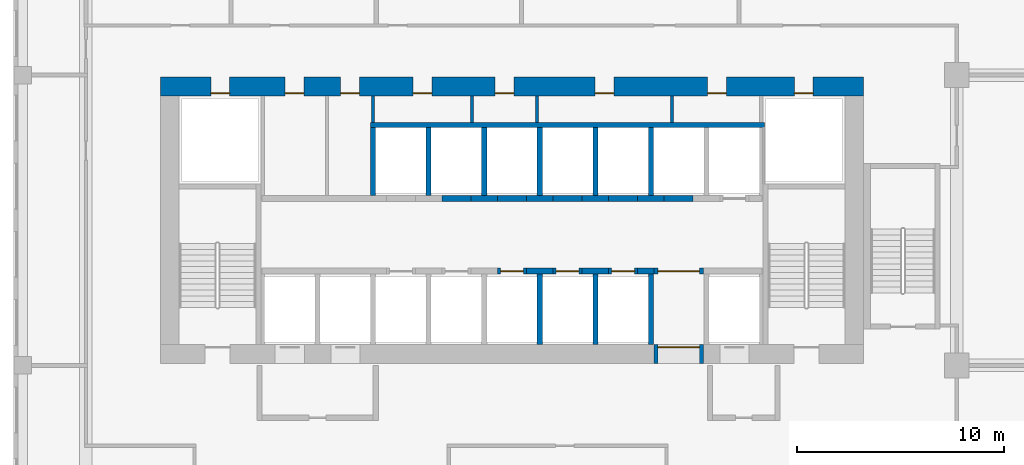
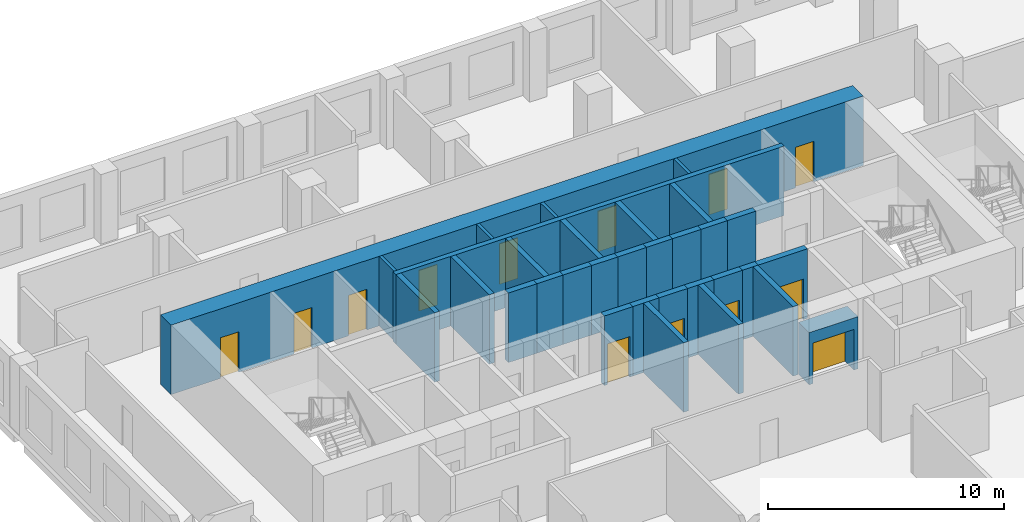
# One storey, part 13 of 19: 32 walls, 13 doors, 13 openings.
"""IFC4 building model written with IfcOpenShell, lengths in metres."""

from ifc_helpers import new_model, si_unit, direction, frame, frame_2d, origin, place, context, subcontext, project, spatial, rectangle, extrude, source, transform, mapped, material, layer, layer_set, type_object, element, fill, save


model = new_model("IFC4")

# Units and contexts
model_context = context("Model", 3, precision=1e-05, world=origin(), true_north=direction((0.0, 1.0)))
body_context = subcontext(model_context, "Body", "Model", "MODEL_VIEW")
ifc_project = project(units=[si_unit("LENGTHUNIT", "METRE"), si_unit("AREAUNIT", "SQUARE_METRE"), si_unit("VOLUMEUNIT", "CUBIC_METRE"), si_unit("PLANEANGLEUNIT", "RADIAN"), si_unit("MASSUNIT", "GRAM", prefix="KILO")], contexts=[model_context])

# Site, building, storey
site_placement = place(None, origin())
site = spatial("IfcSite", under=ifc_project, at=site_placement, CompositionType="ELEMENT")
building_placement = place(site_placement, origin())
building = spatial("IfcBuilding", under=site, at=building_placement, Name="Kilnfold Tower and Market Hall", CompositionType="ELEMENT")
storey_placement = place(building_placement, frame((0.0, 0.0, 124.60009765625)))
storey = spatial("IfcBuildingStorey", under=building, at=storey_placement, Name="L29", CompositionType="ELEMENT", Elevation=124.60009765625)

# Wall, openings, doors
ifc_material_1 = material(Name="Concrete C70", Category="concrete")
ifc_layer_1 = layer(ifc_material_1, 0.89990234375)
ifc_layer_set_1 = layer_set([ifc_layer_1], Name="Concrete C70")
wall_type_1 = type_object("IfcWallType", Name="CORE WALL 900 C70", PredefinedType="SHEAR", material=ifc_layer_set_1)
shared_shape_1 = source(origin(), body_context, "Body", "SweptSolid", [
    extrude(rectangle(XDim=33.89990234375, YDim=0.89990234375, at=frame_2d((16.949951171875, 0.0))), origin(), (0.0, 0.0, 1.0), 3.599853515625),
])
wall_1_placement = place(storey_placement, frame((-15.89990234375, 21.449951171875, 0.0), z_axis=(0.0, 0.0, 1.0), x_axis=(1.0, 0.0, 0.0)))
wall_1 = element("IfcWall", 1, at=wall_1_placement, inside=storey, type_object=wall_type_1, Name="Core outer wall north", PredefinedType="SHEAR", context=body_context, shape_type="MappedRepresentation", body=[
    mapped(shared_shape_1, transform((0.0, 0.0, 0.0))),
])
opening_1_placement = place(wall_1_placement, frame((6.0078125, 0.0, 0.0)))
opening_1 = element("IfcOpeningElement", 2, at=opening_1_placement, cuts=wall_1, Name="Opening KD1", PredefinedType="OPENING", context=body_context, shape_type="SweptSolid", body=[
    extrude(rectangle(XDim=0.89990234375, YDim=2.10009765625, at=frame_2d((0.449951171875, 1.050048828125))), frame((0.0, 0.4599609375, 0.0), z_axis=(0.0, -1.0, 0.0), x_axis=(1.0, 0.0, 0.0)), (0.0, 0.0, 1.0), 0.919921875),
])
opening_2_placement = place(wall_1_placement, frame((8.687744140625, 0.0, 0.0)))
opening_2 = element("IfcOpeningElement", 3, at=opening_2_placement, cuts=wall_1, Name="Opening KD1", PredefinedType="OPENING", context=body_context, shape_type="SweptSolid", body=[
    extrude(rectangle(XDim=0.89990234375, YDim=2.10009765625, at=frame_2d((0.449951171875, 1.050048828125))), frame((0.0, 0.4599609375, 0.0), z_axis=(0.0, -1.0, 0.0), x_axis=(1.0, 0.0, 0.0)), (0.0, 0.0, 1.0), 0.919921875),
])
opening_3_placement = place(wall_1_placement, frame((12.185302734375, 0.0, 0.0)))
opening_3 = element("IfcOpeningElement", 4, at=opening_3_placement, cuts=wall_1, Name="Opening KD1", PredefinedType="OPENING", context=body_context, shape_type="SweptSolid", body=[
    extrude(rectangle(XDim=0.89990234375, YDim=2.10009765625, at=frame_2d((0.449951171875, 1.050048828125))), frame((0.0, 0.4599609375, 0.0), z_axis=(0.0, -1.0, 0.0), x_axis=(1.0, 0.0, 0.0)), (0.0, 0.0, 1.0), 0.919921875),
])
opening_4_placement = place(wall_1_placement, frame((16.13818359375, 0.0, 0.0)))
opening_4 = element("IfcOpeningElement", 5, at=opening_4_placement, cuts=wall_1, Name="Opening KD1", PredefinedType="OPENING", context=body_context, shape_type="SweptSolid", body=[
    extrude(rectangle(XDim=0.89990234375, YDim=2.10009765625, at=frame_2d((0.449951171875, 1.050048828125))), frame((0.0, 0.4599609375, 0.0), z_axis=(0.0, -1.0, 0.0), x_axis=(1.0, 0.0, 0.0)), (0.0, 0.0, 1.0), 0.919921875),
])
opening_5_placement = place(wall_1_placement, frame((20.962158203125, 0.0, 0.0)))
opening_5 = element("IfcOpeningElement", 6, at=opening_5_placement, cuts=wall_1, Name="Opening KD1", PredefinedType="OPENING", context=body_context, shape_type="SweptSolid", body=[
    extrude(rectangle(XDim=0.89990234375, YDim=2.10009765625, at=frame_2d((0.449951171875, 1.050048828125))), frame((0.0, 0.4599609375, 0.0), z_axis=(0.0, -1.0, 0.0), x_axis=(1.0, 0.0, 0.0)), (0.0, 0.0, 1.0), 0.919921875),
])
opening_6_placement = place(wall_1_placement, frame((26.38916015625, 0.0, 0.0)))
opening_6 = element("IfcOpeningElement", 7, at=opening_6_placement, cuts=wall_1, Name="Opening KD1", PredefinedType="OPENING", context=body_context, shape_type="SweptSolid", body=[
    extrude(rectangle(XDim=0.89990234375, YDim=2.10009765625, at=frame_2d((0.449951171875, 1.050048828125))), frame((0.0, 0.4599609375, 0.0), z_axis=(0.0, -1.0, 0.0), x_axis=(1.0, 0.0, 0.0)), (0.0, 0.0, 1.0), 0.919921875),
])
opening_7_placement = place(wall_1_placement, frame((2.425048828125, 0.0, 0.0)))
opening_7 = element("IfcOpeningElement", 8, at=opening_7_placement, cuts=wall_1, Name="Opening KD1", PredefinedType="OPENING", context=body_context, shape_type="SweptSolid", body=[
    extrude(rectangle(XDim=0.89990234375, YDim=2.10009765625, at=frame_2d((0.449951171875, 1.050048828125))), frame((0.0, 0.4599609375, 0.0), z_axis=(0.0, -1.0, 0.0), x_axis=(1.0, 0.0, 0.0)), (0.0, 0.0, 1.0), 0.919921875),
])
opening_8_placement = place(wall_1_placement, frame((30.574951171875, 0.0, 0.0)))
opening_8 = element("IfcOpeningElement", 9, at=opening_8_placement, cuts=wall_1, Name="Opening KD1", PredefinedType="OPENING", context=body_context, shape_type="SweptSolid", body=[
    extrude(rectangle(XDim=0.89990234375, YDim=2.10009765625, at=frame_2d((0.449951171875, 1.050048828125))), frame((0.0, 0.4599609375, 0.0), z_axis=(0.0, -1.0, 0.0), x_axis=(1.0, 0.0, 0.0)), (0.0, 0.0, 1.0), 0.919921875),
])
ifc_material_2 = material(Name="Steel door set with fire-resisting leaf", Category="steel")
door_type_1 = type_object("IfcDoorType", Name="SERVICE DOOR 900X2100", OperationType="NOTDEFINED", PredefinedType="DOOR", material=ifc_material_2)
door_1_placement = place(opening_1_placement, origin())
door_1 = element("IfcDoor", 10, at=door_1_placement, inside=storey, type_object=door_type_1, Name="Core service door", OperationType="SINGLE_SWING_RIGHT", OverallHeight=2.10009765625, OverallWidth=0.89990234375, PredefinedType="DOOR", context=body_context, shape_type="SweptSolid", body=[
    extrude(rectangle(XDim=0.89990234375, YDim=2.10009765625, at=frame_2d((0.449951171875, 1.050048828125))), frame((0.0, -0.30517578125, 0.0), z_axis=(0.0, -1.0, 0.0), x_axis=(1.0, 0.0, 0.0)), (0.0, 0.0, 1.0), 0.050048828125),
])
fill(opening_1, door_1)
door_2_placement = place(opening_2_placement, origin())
door_2 = element("IfcDoor", 11, at=door_2_placement, inside=storey, type_object=door_type_1, Name="Core service door", OperationType="SINGLE_SWING_LEFT", OverallHeight=2.10009765625, OverallWidth=0.89990234375, PredefinedType="DOOR", context=body_context, shape_type="SweptSolid", body=[
    extrude(rectangle(XDim=0.89990234375, YDim=2.10009765625, at=frame_2d((0.449951171875, 1.050048828125))), frame((0.0, -0.30517578125, 0.0), z_axis=(0.0, -1.0, 0.0), x_axis=(1.0, 0.0, 0.0)), (0.0, 0.0, 1.0), 0.050048828125),
])
fill(opening_2, door_2)
door_3_placement = place(opening_3_placement, origin())
door_3 = element("IfcDoor", 12, at=door_3_placement, inside=storey, type_object=door_type_1, Name="Core service door", OperationType="SINGLE_SWING_RIGHT", OverallHeight=2.10009765625, OverallWidth=0.89990234375, PredefinedType="DOOR", context=body_context, shape_type="SweptSolid", body=[
    extrude(rectangle(XDim=0.89990234375, YDim=2.10009765625, at=frame_2d((0.449951171875, 1.050048828125))), frame((0.0, -0.30517578125, 0.0), z_axis=(0.0, -1.0, 0.0), x_axis=(1.0, 0.0, 0.0)), (0.0, 0.0, 1.0), 0.050048828125),
])
fill(opening_3, door_3)
door_4_placement = place(opening_4_placement, origin())
door_4 = element("IfcDoor", 13, at=door_4_placement, inside=storey, type_object=door_type_1, Name="Core service door", OperationType="SINGLE_SWING_LEFT", OverallHeight=2.10009765625, OverallWidth=0.89990234375, PredefinedType="DOOR", context=body_context, shape_type="SweptSolid", body=[
    extrude(rectangle(XDim=0.89990234375, YDim=2.10009765625, at=frame_2d((0.449951171875, 1.050048828125))), frame((0.0, -0.30517578125, 0.0), z_axis=(0.0, -1.0, 0.0), x_axis=(1.0, 0.0, 0.0)), (0.0, 0.0, 1.0), 0.050048828125),
])
fill(opening_4, door_4)
door_5_placement = place(opening_5_placement, origin())
door_5 = element("IfcDoor", 14, at=door_5_placement, inside=storey, type_object=door_type_1, Name="Core service door", OperationType="SINGLE_SWING_RIGHT", OverallHeight=2.10009765625, OverallWidth=0.89990234375, PredefinedType="DOOR", context=body_context, shape_type="SweptSolid", body=[
    extrude(rectangle(XDim=0.89990234375, YDim=2.10009765625, at=frame_2d((0.449951171875, 1.050048828125))), frame((0.0, -0.30517578125, 0.0), z_axis=(0.0, -1.0, 0.0), x_axis=(1.0, 0.0, 0.0)), (0.0, 0.0, 1.0), 0.050048828125),
])
fill(opening_5, door_5)
door_6_placement = place(opening_6_placement, origin())
door_6 = element("IfcDoor", 15, at=door_6_placement, inside=storey, type_object=door_type_1, Name="Core service door", OperationType="SINGLE_SWING_LEFT", OverallHeight=2.10009765625, OverallWidth=0.89990234375, PredefinedType="DOOR", context=body_context, shape_type="SweptSolid", body=[
    extrude(rectangle(XDim=0.89990234375, YDim=2.10009765625, at=frame_2d((0.449951171875, 1.050048828125))), frame((0.0, -0.30517578125, 0.0), z_axis=(0.0, -1.0, 0.0), x_axis=(1.0, 0.0, 0.0)), (0.0, 0.0, 1.0), 0.050048828125),
])
fill(opening_6, door_6)
door_7_placement = place(opening_7_placement, origin())
door_7 = element("IfcDoor", 16, at=door_7_placement, inside=storey, type_object=door_type_1, Name="Electrical riser access door", OperationType="SINGLE_SWING_RIGHT", OverallHeight=2.10009765625, OverallWidth=0.89990234375, PredefinedType="DOOR", context=body_context, shape_type="SweptSolid", body=[
    extrude(rectangle(XDim=0.89990234375, YDim=2.10009765625, at=frame_2d((0.449951171875, 1.050048828125))), frame((0.0, -0.30517578125, 0.0), z_axis=(0.0, -1.0, 0.0), x_axis=(1.0, 0.0, 0.0)), (0.0, 0.0, 1.0), 0.050048828125),
])
fill(opening_7, door_7)
door_8_placement = place(opening_8_placement, origin())
door_8 = element("IfcDoor", 17, at=door_8_placement, inside=storey, type_object=door_type_1, Name="Mechanical riser access door", OperationType="SINGLE_SWING_LEFT", OverallHeight=2.10009765625, OverallWidth=0.89990234375, PredefinedType="DOOR", context=body_context, shape_type="SweptSolid", body=[
    extrude(rectangle(XDim=0.89990234375, YDim=2.10009765625, at=frame_2d((0.449951171875, 1.050048828125))), frame((0.0, -0.30517578125, 0.0), z_axis=(0.0, -1.0, 0.0), x_axis=(1.0, 0.0, 0.0)), (0.0, 0.0, 1.0), 0.050048828125),
])
fill(opening_8, door_8)

# Walls
ifc_material_3 = material(Name="Concrete C70", Category="concrete")
ifc_layer_2 = layer(ifc_material_3, 0.300048828125)
ifc_layer_set_2 = layer_set([ifc_layer_2], Name="Concrete C70")
wall_type_2 = type_object("IfcWallType", Name="CORE WALL 300 C70", PredefinedType="SHEAR", material=ifc_layer_set_2)
shared_shape_2 = source(origin(), body_context, "Body", "SweptSolid", [
    extrude(rectangle(XDim=1.280029296875, YDim=0.300048828125, at=frame_2d((0.64013671875, 0.0))), origin(), (0.0, 0.0, 1.0), 3.599853515625),
])
for number, where, z_axis, x_axis, name in (
    (18, (1.75, 12.550048828125, 0.0), (0.0, 0.0, 1.0), (1.0, 0.0, 0.0), "Core spine wall"),
    (19, (4.429931640625, 12.550048828125, 0.0), (0.0, 0.0, 1.0), (1.0, 0.0, 0.0), "Core spine wall"),
    (20, (-0.929931640625, 16.050048828125, 0.0), (0.0, 0.0, 1.0), (1.0, 0.0, 0.0), "Core spine wall"),
    (21, (1.75, 16.050048828125, 0.0), (0.0, 0.0, 1.0), (1.0, 0.0, 0.0), "Core spine wall"),
    (22, (4.429931640625, 16.050048828125, 0.0), (0.0, 0.0, 1.0), (1.0, 0.0, 0.0), "Core spine wall"),
):
    element("IfcWall", number, at=place(storey_placement, frame(where, z_axis=z_axis, x_axis=x_axis)), inside=storey, type_object=wall_type_2, Name=name, PredefinedType="SHEAR", context=body_context, shape_type="MappedRepresentation", body=[
        mapped(shared_shape_2, transform((0.0, 0.0, 0.0))),
    ])
shared_shape_3 = source(origin(), body_context, "Body", "SweptSolid", [
    extrude(rectangle(XDim=0.77978515625, YDim=0.300048828125, at=frame_2d((0.389892578125, 0.0))), origin(), (0.0, 0.0, 1.0), 3.599853515625),
])
wall_2_placement = place(storey_placement, frame((7.110107421875, 12.550048828125, 0.0), z_axis=(0.0, 0.0, 1.0), x_axis=(1.0, 0.0, 0.0)))
element("IfcWall", 23, at=wall_2_placement, inside=storey, type_object=wall_type_2, Name="Core spine wall", PredefinedType="SHEAR", context=body_context, shape_type="MappedRepresentation", body=[
    mapped(shared_shape_3, transform((0.0, 0.0, 0.0))),
])
shared_shape_4 = source(origin(), body_context, "Body", "SweptSolid", [
    extrude(rectangle(XDim=1.27978515625, YDim=0.300048828125, at=frame_2d((0.639892578125, 0.0))), origin(), (0.0, 0.0, 1.0), 3.599853515625),
])
wall_3_placement = place(storey_placement, frame((7.110107421875, 16.050048828125, 0.0), z_axis=(0.0, 0.0, 1.0), x_axis=(1.0, 0.0, 0.0)))
element("IfcWall", 24, at=wall_3_placement, inside=storey, type_object=wall_type_2, Name="Core spine wall", PredefinedType="SHEAR", context=body_context, shape_type="MappedRepresentation", body=[
    mapped(shared_shape_4, transform((0.0, 0.0, 0.0))),
])

# Wall, opening, door
ifc_material_4 = material(Name="Gypsum shaft wall system")
ifc_layer_3 = layer(ifc_material_4, 0.89990234375)
ifc_layer_set_3 = layer_set([ifc_layer_3], Name="Gypsum shaft wall system")
wall_type_3 = type_object("IfcWallType", Name="LOBBY WALL 900", PredefinedType="PARTITIONING", material=ifc_layer_set_3)
shared_shape_5 = source(origin(), body_context, "Body", "SweptSolid", [
    extrude(rectangle(XDim=2.400146484375, YDim=0.89990234375, at=frame_2d((1.2001953125, 0.0))), origin(), (0.0, 0.0, 1.0), 2.699951171875),
])
wall_4_placement = place(storey_placement, frame((7.889892578125, 8.550048828125, 0.0), z_axis=(0.0, 0.0, 1.0), x_axis=(1.0, 0.0, 0.0)))
wall_4 = element("IfcWall", 25, at=wall_4_placement, inside=storey, type_object=wall_type_3, Name="Core wall infill", PredefinedType="PARTITIONING", context=body_context, shape_type="MappedRepresentation", body=[
    mapped(shared_shape_5, transform((0.0, 0.0, 0.0))),
])
opening_9_placement = place(wall_4_placement, frame((0.199951171875, 0.0, 0.0)))
opening_9 = element("IfcOpeningElement", 26, at=opening_9_placement, cuts=wall_4, Name="Opening VD2", PredefinedType="OPENING", context=body_context, shape_type="SweptSolid", body=[
    extrude(rectangle(XDim=2.0, YDim=2.10009765625, at=frame_2d((1.0, 1.050048828125))), frame((0.0, 0.4599609375, 0.0), z_axis=(0.0, -1.0, 0.0), x_axis=(1.0, 0.0, 0.0)), (0.0, 0.0, 1.0), 0.919921875),
])
ifc_material_5 = material(Name="Steel door set with fire-resisting leaf", Category="steel")
door_type_2 = type_object("IfcDoorType", Name="LIFT LOBBY ENTRANCE DOOR 2000X2100", OperationType="NOTDEFINED", PredefinedType="DOOR", material=ifc_material_5)
door_9_placement = place(opening_9_placement, origin())
door_9 = element("IfcDoor", 27, at=door_9_placement, inside=storey, type_object=door_type_2, Name="Lift lobby entrance door", OperationType="DOUBLE_DOOR_SINGLE_SWING", OverallHeight=2.10009765625, OverallWidth=2.0, PredefinedType="DOOR", context=body_context, shape_type="SweptSolid", body=[
    extrude(rectangle(XDim=2.0, YDim=2.10009765625, at=frame_2d((1.0, 1.050048828125))), frame((0.0, 0.35498046875, 0.0), z_axis=(0.0, -1.0, 0.0), x_axis=(1.0, 0.0, 0.0)), (0.0, 0.0, 1.0), 0.050048828125),
])
fill(opening_9, door_9)

ifc_material_6 = material(Name="Gypsum shaft wall system")
ifc_layer_4 = layer(ifc_material_6, 0.300048828125)
ifc_layer_set_4 = layer_set([ifc_layer_4], Name="Gypsum shaft wall system")
wall_type_4 = type_object("IfcWallType", Name="SHAFT WALL 300", PredefinedType="PARTITIONING", material=ifc_layer_set_4)
shared_shape_6 = source(origin(), body_context, "Body", "SweptSolid", [
    extrude(rectangle(XDim=1.39990234375, YDim=0.300048828125, at=frame_2d((0.699951171875, 0.0))), origin(), (0.0, 0.0, 1.0), 3.599853515625),
])
wall_5_placement = place(storey_placement, frame((0.35009765625, 12.550048828125, 0.0), z_axis=(0.0, 0.0, 1.0), x_axis=(1.0, 0.0, 0.0)))
wall_5 = element("IfcWall", 28, at=wall_5_placement, inside=storey, type_object=wall_type_4, Name="Lift shaft front wall", PredefinedType="PARTITIONING", context=body_context, shape_type="MappedRepresentation", body=[
    mapped(shared_shape_6, transform((0.0, 0.0, 0.0))),
])
opening_10_placement = place(wall_5_placement, frame((0.14990234375, 0.0, 0.0)))
opening_10 = element("IfcOpeningElement", 29, at=opening_10_placement, cuts=wall_5, Name="Opening LD2", PredefinedType="OPENING", context=body_context, shape_type="SweptSolid", body=[
    extrude(rectangle(XDim=1.10009765625, YDim=2.10009765625, at=frame_2d((0.550048828125, 1.050048828125))), frame((0.0, 0.16015625, 0.0), z_axis=(0.0, -1.0, 0.0), x_axis=(1.0, 0.0, 0.0)), (0.0, 0.0, 1.0), 0.320068359375),
])
ifc_material_7 = material(Name="Steel door set with fire-resisting leaf", Category="steel")
door_type_3 = type_object("IfcDoorType", Name="LANDING DOOR 1100X2100", OperationType="NOTDEFINED", PredefinedType="DOOR", material=ifc_material_7)
door_10_placement = place(opening_10_placement, origin())
door_10 = element("IfcDoor", 30, at=door_10_placement, inside=storey, type_object=door_type_3, Name="Landing door LR3", OperationType="DOUBLE_DOOR_SLIDING", OverallHeight=2.10009765625, OverallWidth=1.10009765625, PredefinedType="DOOR", context=body_context, shape_type="SweptSolid", body=[
    extrude(rectangle(XDim=1.10009765625, YDim=2.10009765625, at=frame_2d((0.550048828125, 1.050048828125))), frame((0.0, 0.02490234375, 0.0), z_axis=(0.0, -1.0, 0.0), x_axis=(1.0, 0.0, 0.0)), (0.0, 0.0, 1.0), 0.050048828125),
])
fill(opening_10, door_10)

wall_6_placement = place(storey_placement, frame((3.030029296875, 12.550048828125, 0.0), z_axis=(0.0, 0.0, 1.0), x_axis=(1.0, 0.0, 0.0)))
wall_6 = element("IfcWall", 31, at=wall_6_placement, inside=storey, type_object=wall_type_4, Name="Lift shaft front wall", PredefinedType="PARTITIONING", context=body_context, shape_type="MappedRepresentation", body=[
    mapped(shared_shape_6, transform((0.0, 0.0, 0.0))),
])
opening_11_placement = place(wall_6_placement, frame((0.14990234375, 0.0, 0.0)))
opening_11 = element("IfcOpeningElement", 32, at=opening_11_placement, cuts=wall_6, Name="Opening LD2", PredefinedType="OPENING", context=body_context, shape_type="SweptSolid", body=[
    extrude(rectangle(XDim=1.10009765625, YDim=2.10009765625, at=frame_2d((0.550048828125, 1.050048828125))), frame((0.0, 0.16015625, 0.0), z_axis=(0.0, -1.0, 0.0), x_axis=(1.0, 0.0, 0.0)), (0.0, 0.0, 1.0), 0.320068359375),
])
door_11_placement = place(opening_11_placement, origin())
door_11 = element("IfcDoor", 33, at=door_11_placement, inside=storey, type_object=door_type_3, Name="Landing door LR4", OperationType="DOUBLE_DOOR_SLIDING", OverallHeight=2.10009765625, OverallWidth=1.10009765625, PredefinedType="DOOR", context=body_context, shape_type="SweptSolid", body=[
    extrude(rectangle(XDim=1.10009765625, YDim=2.10009765625, at=frame_2d((0.550048828125, 1.050048828125))), frame((0.0, 0.02490234375, 0.0), z_axis=(0.0, -1.0, 0.0), x_axis=(1.0, 0.0, 0.0)), (0.0, 0.0, 1.0), 0.050048828125),
])
fill(opening_11, door_11)

# Walls
for number, where, z_axis, x_axis, name in (
    (34, (0.35009765625, 16.050048828125, 0.0), (0.0, 0.0, 1.0), (1.0, 0.0, 0.0), "Lift shaft front wall"),
    (35, (3.030029296875, 16.050048828125, 0.0), (0.0, 0.0, 1.0), (1.0, 0.0, 0.0), "Lift shaft front wall"),
):
    element("IfcWall", number, at=place(storey_placement, frame(where, z_axis=z_axis, x_axis=x_axis)), inside=storey, type_object=wall_type_4, Name=name, PredefinedType="PARTITIONING", context=body_context, shape_type="MappedRepresentation", body=[
        mapped(shared_shape_6, transform((0.0, 0.0, 0.0))),
    ])

# Wall, opening, door
shared_shape_7 = source(origin(), body_context, "Body", "SweptSolid", [
    extrude(rectangle(XDim=1.400146484375, YDim=0.300048828125, at=frame_2d((0.7001953125, 0.0))), origin(), (0.0, 0.0, 1.0), 3.599853515625),
])
wall_7_placement = place(storey_placement, frame((5.7099609375, 12.550048828125, 0.0), z_axis=(0.0, 0.0, 1.0), x_axis=(1.0, 0.0, 0.0)))
wall_7 = element("IfcWall", 36, at=wall_7_placement, inside=storey, type_object=wall_type_4, Name="Lift shaft front wall", PredefinedType="PARTITIONING", context=body_context, shape_type="MappedRepresentation", body=[
    mapped(shared_shape_7, transform((0.0, 0.0, 0.0))),
])
opening_12_placement = place(wall_7_placement, frame((0.14990234375, 0.0, 0.0)))
opening_12 = element("IfcOpeningElement", 37, at=opening_12_placement, cuts=wall_7, Name="Opening LD2", PredefinedType="OPENING", context=body_context, shape_type="SweptSolid", body=[
    extrude(rectangle(XDim=1.10009765625, YDim=2.10009765625, at=frame_2d((0.550048828125, 1.050048828125))), frame((0.0, 0.16015625, 0.0), z_axis=(0.0, -1.0, 0.0), x_axis=(1.0, 0.0, 0.0)), (0.0, 0.0, 1.0), 0.320068359375),
])
door_12_placement = place(opening_12_placement, origin())
door_12 = element("IfcDoor", 38, at=door_12_placement, inside=storey, type_object=door_type_3, Name="Landing door LR5", OperationType="DOUBLE_DOOR_SLIDING", OverallHeight=2.10009765625, OverallWidth=1.10009765625, PredefinedType="DOOR", context=body_context, shape_type="SweptSolid", body=[
    extrude(rectangle(XDim=1.10009765625, YDim=2.10009765625, at=frame_2d((0.550048828125, 1.050048828125))), frame((0.0, 0.02490234375, 0.0), z_axis=(0.0, -1.0, 0.0), x_axis=(1.0, 0.0, 0.0)), (0.0, 0.0, 1.0), 0.050048828125),
])
fill(opening_12, door_12)

# Walls
for number, where, z_axis, x_axis, name in (
    (39, (-2.330078125, 16.050048828125, 0.0), (0.0, 0.0, 1.0), (1.0, 0.0, 0.0), "Lift shaft front wall"),
    (40, (5.7099609375, 16.050048828125, 0.0), (0.0, 0.0, 1.0), (1.0, 0.0, 0.0), "Lift shaft front wall"),
    (41, (8.389892578125, 16.050048828125, 0.0), (0.0, 0.0, 1.0), (1.0, 0.0, 0.0), "Lift shaft front wall"),
):
    element("IfcWall", number, at=place(storey_placement, frame(where, z_axis=z_axis, x_axis=x_axis)), inside=storey, type_object=wall_type_4, Name=name, PredefinedType="PARTITIONING", context=body_context, shape_type="MappedRepresentation", body=[
        mapped(shared_shape_7, transform((0.0, 0.0, 0.0))),
    ])

# Wall, opening, door
shared_shape_8 = source(origin(), body_context, "Body", "SweptSolid", [
    extrude(rectangle(XDim=2.400146484375, YDim=0.300048828125, at=frame_2d((1.2001953125, 0.0))), origin(), (0.0, 0.0, 1.0), 3.599853515625),
])
wall_8_placement = place(storey_placement, frame((7.889892578125, 12.550048828125, 0.0), z_axis=(0.0, 0.0, 1.0), x_axis=(1.0, 0.0, 0.0)))
wall_8 = element("IfcWall", 42, at=wall_8_placement, inside=storey, type_object=wall_type_4, Name="Lift shaft front wall", PredefinedType="PARTITIONING", context=body_context, shape_type="MappedRepresentation", body=[
    mapped(shared_shape_8, transform((0.0, 0.0, 0.0))),
])
opening_13_placement = place(wall_8_placement, frame((0.199951171875, 0.0, 0.0)))
opening_13 = element("IfcOpeningElement", 43, at=opening_13_placement, cuts=wall_8, Name="Opening VD2", PredefinedType="OPENING", context=body_context, shape_type="SweptSolid", body=[
    extrude(rectangle(XDim=2.0, YDim=2.10009765625, at=frame_2d((1.0, 1.050048828125))), frame((0.0, 0.16015625, 0.0), z_axis=(0.0, -1.0, 0.0), x_axis=(1.0, 0.0, 0.0)), (0.0, 0.0, 1.0), 0.320068359375),
])
door_13_placement = place(opening_13_placement, origin())
door_13 = element("IfcDoor", 44, at=door_13_placement, inside=storey, type_object=door_type_2, Name="Lift lobby entrance door", OperationType="DOUBLE_DOOR_SINGLE_SWING", OverallHeight=2.10009765625, OverallWidth=2.0, PredefinedType="DOOR", context=body_context, shape_type="SweptSolid", body=[
    extrude(rectangle(XDim=2.0, YDim=2.10009765625, at=frame_2d((1.0, 1.050048828125))), frame((0.0, 0.02490234375, 0.0), z_axis=(0.0, -1.0, 0.0), x_axis=(1.0, 0.0, 0.0)), (0.0, 0.0, 1.0), 0.050048828125),
])
fill(opening_13, door_13)

# Walls
ifc_material_8 = material(Name="Gypsum shaft wall system")
ifc_layer_5 = layer(ifc_material_8, 0.25)
ifc_layer_set_5 = layer_set([ifc_layer_5], Name="Gypsum shaft wall system")
wall_type_5 = type_object("IfcWallType", Name="SHAFT WALL 250", PredefinedType="PARTITIONING", material=ifc_layer_set_5)
shared_shape_9 = source(origin(), body_context, "Body", "SweptSolid", [
    extrude(rectangle(XDim=19.010009765625, YDim=0.25, at=frame_2d((9.5048828125, 0.0))), origin(), (0.0, 0.0, 1.0), 3.599853515625),
])
wall_9_placement = place(storey_placement, frame((-5.77490234375, 19.60009765625, 0.0), z_axis=(0.0, 0.0, 1.0), x_axis=(1.0, 0.0, 0.0)))
element("IfcWall", 45, at=wall_9_placement, inside=storey, type_object=wall_type_5, Name="Lift shaft wall", PredefinedType="PARTITIONING", context=body_context, shape_type="MappedRepresentation", body=[
    mapped(shared_shape_9, transform((0.0, 0.0, 0.0))),
])
shared_shape_10 = source(origin(), body_context, "Body", "SweptSolid", [
    extrude(rectangle(XDim=3.275146484375, YDim=0.25, at=frame_2d((1.6376953125, 0.0))), origin(), (0.0, 0.0, 1.0), 3.599853515625),
])
for number, where, z_axis, x_axis, name in (
    (46, (2.389892578125, 16.199951171875, 0.0), (0.0, 0.0, 1.0), (0.0, 1.0, 0.0), "Lift shaft wall"),
    (47, (5.070068359375, 16.199951171875, 0.0), (0.0, 0.0, 1.0), (0.0, 1.0, 0.0), "Lift shaft wall"),
    (48, (7.75, 16.199951171875, 0.0), (0.0, 0.0, 1.0), (0.0, 1.0, 0.0), "Lift shaft wall"),
    (49, (-0.2900390625, 16.199951171875, 0.0), (0.0, 0.0, 1.0), (0.0, 1.0, 0.0), "Lift shaft wall"),
    (50, (-2.969970703125, 16.199951171875, 0.0), (0.0, 0.0, 1.0), (0.0, 1.0, 0.0), "Lift shaft wall"),
    (51, (-5.64990234375, 16.199951171875, 0.0), (0.0, 0.0, 1.0), (0.0, 1.0, 0.0), "Lift shaft wall"),
):
    element("IfcWall", number, at=place(storey_placement, frame(where, z_axis=z_axis, x_axis=x_axis)), inside=storey, type_object=wall_type_5, Name=name, PredefinedType="PARTITIONING", context=body_context, shape_type="MappedRepresentation", body=[
        mapped(shared_shape_10, transform((0.0, 0.0, 0.0))),
    ])
shared_shape_11 = source(origin(), body_context, "Body", "SweptSolid", [
    extrude(rectangle(XDim=3.39990234375, YDim=0.25, at=frame_2d((1.699951171875, 0.0))), origin(), (0.0, 0.0, 1.0), 3.599853515625),
])
for number, where, z_axis, x_axis, name in (
    (52, (2.389892578125, 9.0, 0.0), (0.0, 0.0, 1.0), (0.0, 1.0, 0.0), "Lift shaft wall"),
    (53, (5.070068359375, 9.0, 0.0), (0.0, 0.0, 1.0), (0.0, 1.0, 0.0), "Lift shaft wall"),
    (54, (7.75, 9.0, 0.0), (0.0, 0.0, 1.0), (0.0, 1.0, 0.0), "Lift shaft wall"),
):
    element("IfcWall", number, at=place(storey_placement, frame(where, z_axis=z_axis, x_axis=x_axis)), inside=storey, type_object=wall_type_5, Name=name, PredefinedType="PARTITIONING", context=body_context, shape_type="MappedRepresentation", body=[
        mapped(shared_shape_11, transform((0.0, 0.0, 0.0))),
    ])
ifc_material_9 = material(Name="Gypsum shaft wall system")
ifc_layer_6 = layer(ifc_material_9, 0.14990234375)
ifc_layer_set_6 = layer_set([ifc_layer_6], Name="Gypsum shaft wall system")
wall_type_6 = type_object("IfcWallType", Name="ROOM WALL 150", PredefinedType="PARTITIONING", material=ifc_layer_set_6)
shared_shape_12 = source(origin(), body_context, "Body", "SweptSolid", [
    extrude(rectangle(XDim=1.27490234375, YDim=0.14990234375, at=frame_2d((0.637451171875, 0.0))), origin(), (0.0, 0.0, 1.0), 3.599853515625),
])
for number, where, z_axis, x_axis, name in (
    (55, (-5.64990234375, 19.72509765625, 0.0), (0.0, 0.0, 1.0), (0.0, 1.0, 0.0), "Core room wall"),
    (56, (-0.879638671875, 19.72509765625, 0.0), (0.0, 0.0, 1.0), (0.0, 1.0, 0.0), "Core room wall"),
    (57, (2.256103515625, 19.72509765625, 0.0), (0.0, 0.0, 1.0), (0.0, 1.0, 0.0), "Core room wall"),
    (58, (8.768310546875, 19.72509765625, 0.0), (0.0, 0.0, 1.0), (0.0, 1.0, 0.0), "Core room wall"),
):
    element("IfcWall", number, at=place(storey_placement, frame(where, z_axis=z_axis, x_axis=x_axis)), inside=storey, type_object=wall_type_6, Name=name, PredefinedType="PARTITIONING", context=body_context, shape_type="MappedRepresentation", body=[
        mapped(shared_shape_12, transform((0.0, 0.0, 0.0))),
    ])

save(model, "model.ifc")
